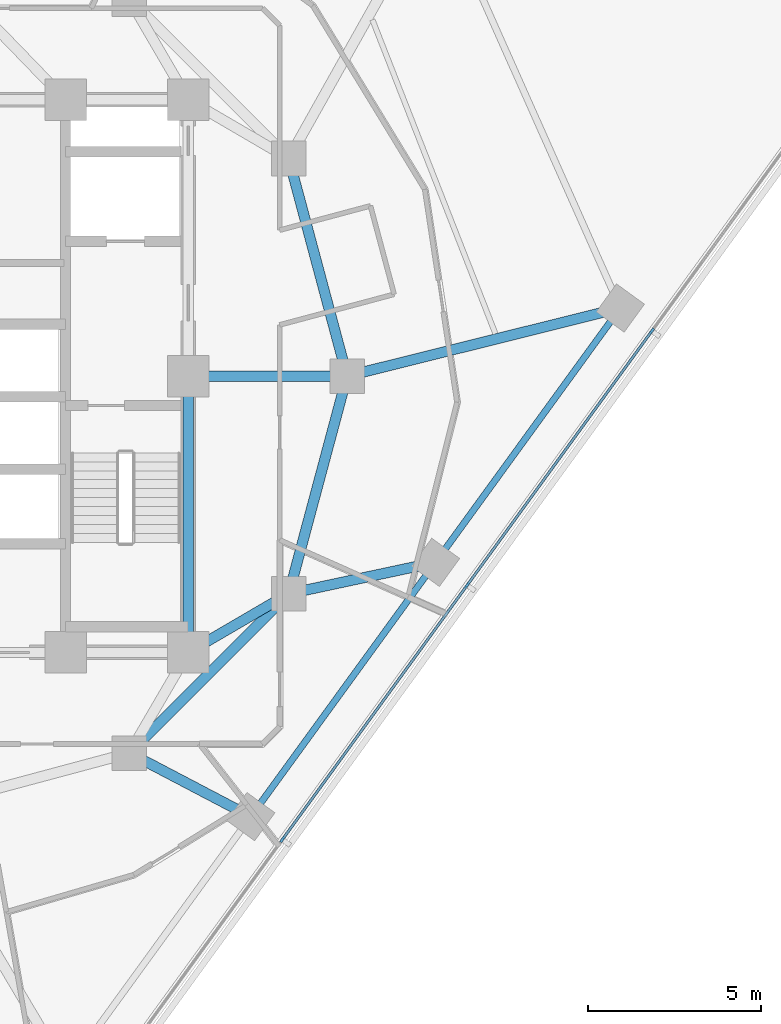
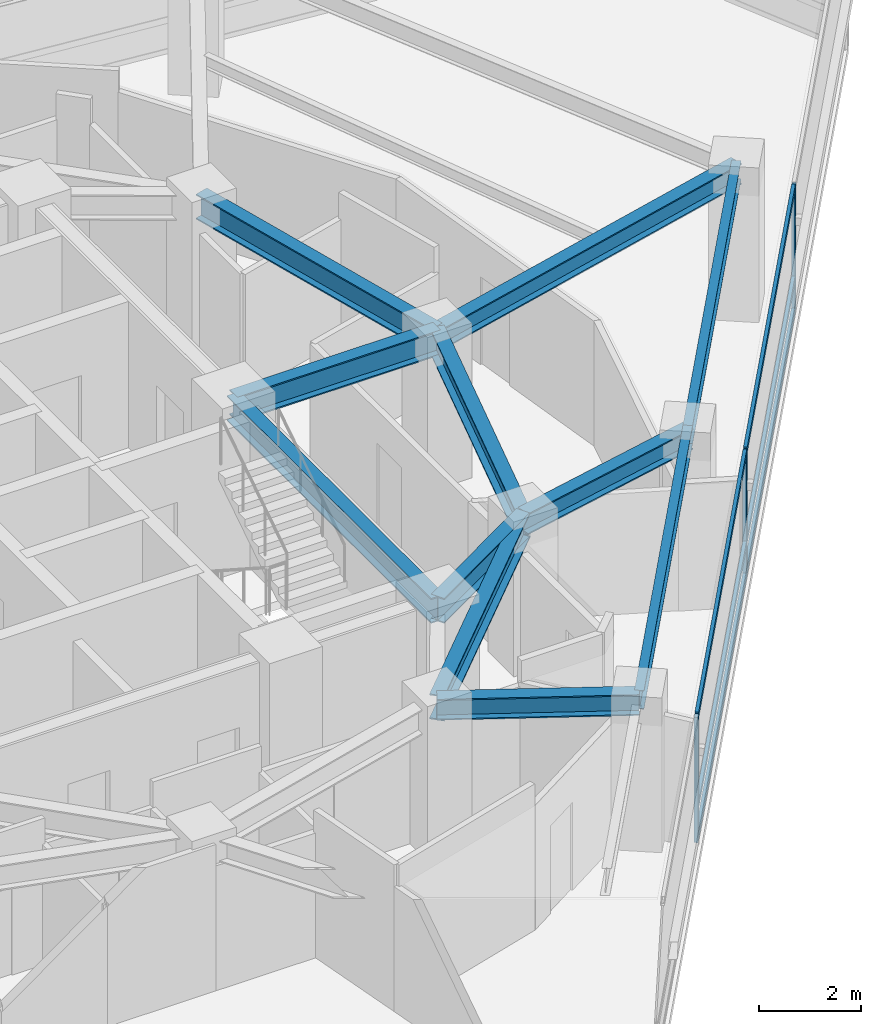
# One storey, part 4 of 15: 11 beams, 9 members, 1 element without a shape of its own.
"""IFC4 building model written with IfcOpenShell, lengths in metres."""

from ifc_helpers import new_model, si_unit, direction, frame, origin, origin_2d, place, context, subcontext, project, spatial, rectangle, i_section, extrude, material, layer, layer_set, material_profile, profile_set, type_object, element, aggregate, save


model = new_model("IFC4")

# Units and contexts
model_context = context("Model", 3, precision=1e-05, world=origin(), true_north=direction((0.0, 1.0)))
body_context = subcontext(model_context, "Body", "Model", "MODEL_VIEW")
ifc_project = project(units=[si_unit("LENGTHUNIT", "METRE"), si_unit("AREAUNIT", "SQUARE_METRE"), si_unit("VOLUMEUNIT", "CUBIC_METRE"), si_unit("PLANEANGLEUNIT", "RADIAN"), si_unit("MASSUNIT", "GRAM", prefix="KILO")], contexts=[model_context])

# Site, building, storey
site_placement = place(None, origin())
site = spatial("IfcSite", under=ifc_project, at=site_placement, CompositionType="ELEMENT")
building_placement = place(site_placement, origin())
building = spatial("IfcBuilding", under=site, at=building_placement, Name="Terralouvre Media Tower", CompositionType="ELEMENT")
storey_placement = place(building_placement, frame((0.0, 0.0, 233.699951171875)))
storey = spatial("IfcBuildingStorey", under=building, at=storey_placement, Name="L60", CompositionType="ELEMENT", Elevation=233.699951171875)

# Curtain wall, members
ifc_material_1 = material(Name="Low-iron laminated double glazing with solar-control coating", Category="glass")
ifc_layer = layer(ifc_material_1, 0.1650390625, Name="Upper Executive Tower Curtain Wall CW-05")
ifc_layer_set = layer_set([ifc_layer], Name="Low-iron laminated double glazing with solar-control coating")
curtain_wall_type = type_object("IfcCurtainWallType", Name="Upper Executive Tower Curtain Wall CW-05", PredefinedType="NOTDEFINED", material=ifc_layer_set)
curtain_wall_placement = place(storey_placement, origin())
curtain_wall = element("IfcCurtainWall", 1, at=curtain_wall_placement, inside=storey, type_object=curtain_wall_type, Name="L60 Facade Curtain Wall F0", PredefinedType="NOTDEFINED")
ifc_material_2 = material(Name="Anodised extruded aluminium 6063-T6", Category="aluminium")
ifc_material_profile_1 = material_profile(ifc_material_2, rectangle(XDim=0.074951171875, YDim=0.14990234375, at=origin_2d()), Name="ALU 75x150")
ifc_profile_set_1 = profile_set([ifc_material_profile_1], Name="Anodised extruded aluminium 6063-T6")
member_type_1 = type_object("IfcMemberType", Name="Curtain-Wall Horizontal Transom TR-150", PredefinedType="USERDEFINED", material=ifc_profile_set_1)
member_1_placement = place(storey_placement, frame((10.748779296875, -13.38720703125, 0.03759765625), z_axis=(0.587772727709, 0.809026093869, 0.0), x_axis=(-0.809026093869, 0.587772727709, 0.0)))
member_1 = element("IfcMember", 2, at=member_1_placement, type_object=member_type_1, Name="CW-05 transom 3.1", ObjectType="TRANSOM", PredefinedType="USERDEFINED", context=body_context, shape_type="SweptSolid", body=[
    extrude(rectangle(XDim=0.074951171875, YDim=0.14990234375, at=origin_2d()), origin(), (0.0, 0.0, 1.0), 9.025146484375),
])
member_2_placement = place(storey_placement, frame((10.748779296875, -13.38720703125, 0.800048828125), z_axis=(0.587772727709, 0.809026093869, 0.0), x_axis=(-0.809026093869, 0.587772727709, 0.0)))
member_2 = element("IfcMember", 3, at=member_2_placement, type_object=member_type_1, Name="CW-05 transom 3.2", ObjectType="TRANSOM", PredefinedType="USERDEFINED", context=body_context, shape_type="SweptSolid", body=[
    extrude(rectangle(XDim=0.074951171875, YDim=0.14990234375, at=origin_2d()), origin(), (0.0, 0.0, 1.0), 9.025146484375),
])
member_3_placement = place(storey_placement, frame((10.748779296875, -13.38720703125, 2.962646484375), z_axis=(0.587772727709, 0.809026093869, 0.0), x_axis=(-0.809026093869, 0.587772727709, 0.0)))
member_3 = element("IfcMember", 4, at=member_3_placement, type_object=member_type_1, Name="CW-05 transom 3.3", ObjectType="TRANSOM", PredefinedType="USERDEFINED", context=body_context, shape_type="SweptSolid", body=[
    extrude(rectangle(XDim=0.074951171875, YDim=0.14990234375, at=origin_2d()), origin(), (0.0, 0.0, 1.0), 9.025146484375),
])
member_4_placement = place(storey_placement, frame((16.09765625, -6.025146484375, 0.03759765625), z_axis=(0.587772727709, 0.809026093869, 0.0), x_axis=(-0.809026093869, 0.587772727709, 0.0)))
member_4 = element("IfcMember", 5, at=member_4_placement, type_object=member_type_1, Name="CW-05 transom 4.1", ObjectType="TRANSOM", PredefinedType="USERDEFINED", context=body_context, shape_type="SweptSolid", body=[
    extrude(rectangle(XDim=0.074951171875, YDim=0.14990234375, at=origin_2d()), origin(), (0.0, 0.0, 1.0), 9.025146484375),
])
member_5_placement = place(storey_placement, frame((16.09765625, -6.025146484375, 0.800048828125), z_axis=(0.587772727709, 0.809026093869, 0.0), x_axis=(-0.809026093869, 0.587772727709, 0.0)))
member_5 = element("IfcMember", 6, at=member_5_placement, type_object=member_type_1, Name="CW-05 transom 4.2", ObjectType="TRANSOM", PredefinedType="USERDEFINED", context=body_context, shape_type="SweptSolid", body=[
    extrude(rectangle(XDim=0.074951171875, YDim=0.14990234375, at=origin_2d()), origin(), (0.0, 0.0, 1.0), 9.025146484375),
])
member_6_placement = place(storey_placement, frame((16.09765625, -6.025146484375, 2.962646484375), z_axis=(0.587772727709, 0.809026093869, 0.0), x_axis=(-0.809026093869, 0.587772727709, 0.0)))
member_6 = element("IfcMember", 7, at=member_6_placement, type_object=member_type_1, Name="CW-05 transom 4.3", ObjectType="TRANSOM", PredefinedType="USERDEFINED", context=body_context, shape_type="SweptSolid", body=[
    extrude(rectangle(XDim=0.074951171875, YDim=0.14990234375, at=origin_2d()), origin(), (0.0, 0.0, 1.0), 9.025146484375),
])
ifc_material_3 = material(Name="Anodised extruded aluminium 6063-T6", Category="aluminium")
ifc_material_profile_2 = material_profile(ifc_material_3, rectangle(XDim=0.074951171875, YDim=0.179931640625, at=origin_2d()), Name="ALU 75x180")
ifc_profile_set_2 = profile_set([ifc_material_profile_2], Name="Anodised extruded aluminium 6063-T6")
member_type_2 = type_object("IfcMemberType", Name="Curtain-Wall Vertical Mullion ML-180", PredefinedType="MULLION", material=ifc_profile_set_2)
member_7_placement = place(storey_placement, frame((10.726806640625, -13.41748046875, 0.0), z_axis=(0.0, 0.0, 1.0), x_axis=(-0.809016959074, 0.587785300879, 0.0)))
member_7 = element("IfcMember", 8, at=member_7_placement, type_object=member_type_2, Name="CW-05 mullion 3", PredefinedType="MULLION", context=body_context, shape_type="SweptSolid", body=[
    extrude(rectangle(XDim=0.074951171875, YDim=0.179931640625, at=origin_2d()), origin(), (0.0, 0.0, 1.0), 3.0),
])
member_8_placement = place(storey_placement, frame((16.075439453125, -6.055419921875, 0.0), z_axis=(0.0, 0.0, 1.0), x_axis=(-0.809016959074, 0.587785300879, 0.0)))
member_8 = element("IfcMember", 9, at=member_8_placement, type_object=member_type_2, Name="CW-05 mullion 4", PredefinedType="MULLION", context=body_context, shape_type="SweptSolid", body=[
    extrude(rectangle(XDim=0.074951171875, YDim=0.179931640625, at=origin_2d()), origin(), (0.0, 0.0, 1.0), 3.0),
])
member_9_placement = place(storey_placement, frame((21.42431640625, 1.306640625, 0.0), z_axis=(0.0, 0.0, 1.0), x_axis=(-0.809016959074, 0.587785300879, 0.0)))
member_9 = element("IfcMember", 10, at=member_9_placement, type_object=member_type_2, Name="CW-05 mullion 5", PredefinedType="MULLION", context=body_context, shape_type="SweptSolid", body=[
    extrude(rectangle(XDim=0.074951171875, YDim=0.179931640625, at=origin_2d()), origin(), (0.0, 0.0, 1.0), 3.0),
])
aggregate(curtain_wall, [member_7, member_8, member_9, member_1, member_2, member_3, member_4, member_5, member_6])

# Beams
ifc_material_4 = material(Name="Structural steel S355J2", Category="steel")
ifc_material_profile_3 = material_profile(ifc_material_4, i_section(OverallWidth=0.18994140625, OverallDepth=0.449951171875, WebThickness=0.009521484375, FlangeThickness=0.0146484375, at=origin_2d()), Name="IPE 450")
ifc_profile_set_3 = profile_set([ifc_material_profile_3], Name="Structural steel S355J2")
beam_type_1 = type_object("IfcBeamType", Name="Perimeter Spandrel Beam SPB-450 (IPE 450)", PredefinedType="SPANDREL", material=ifc_profile_set_3)
for number, where, z_axis, x_axis, name in (
    (11, (9.8125, -12.75341796875, 3.275146484375), (0.587787185033, 0.809015590153, 0.0), (-0.809015590153, 0.587787185033, 0.0), "L60 Framing Beam BM-L60-PR05"),
    (12, (15.161376953125, -5.391357421875, 3.275146484375), (0.587787185033, 0.809015590153, 0.0), (-0.809015590153, 0.587787185033, 0.0), "L60 Framing Beam BM-L60-PR06"),
):
    element("IfcBeam", number, at=place(storey_placement, frame(where, z_axis=z_axis, x_axis=x_axis)), inside=storey, type_object=beam_type_1, Name=name, PredefinedType="SPANDREL", context=body_context, shape_type="SweptSolid", body=[
        extrude(i_section(OverallWidth=0.18994140625, OverallDepth=0.449951171875, WebThickness=0.009521484375, FlangeThickness=0.0146484375, at=origin_2d()), origin(), (0.0, 0.0, 1.0), 9.10009765625),
    ])
ifc_material_5 = material(Name="Structural steel S355J2", Category="steel")
ifc_material_profile_4 = material_profile(ifc_material_5, i_section(OverallWidth=0.300048828125, OverallDepth=0.5, WebThickness=0.014404296875, FlangeThickness=0.028076171875, at=origin_2d()), Name="HEB 500")
ifc_profile_set_4 = profile_set([ifc_material_profile_4], Name="Structural steel S355J2")
beam_type_2 = type_object("IfcBeamType", Name="Primary Floor Girder B-HEB500 (HEB 500)", PredefinedType="BEAM", material=ifc_profile_set_4)
beam_1_placement = place(storey_placement, frame((6.300048828125, -10.911865234375, 3.25), z_axis=(0.885655556229, -0.464342799794, 0.0), x_axis=(0.464342799794, 0.885655556229, 0.0)))
element("IfcBeam", 13, at=beam_1_placement, inside=storey, type_object=beam_type_2, Name="L60 Framing Beam BM-L60-RD05", PredefinedType="BEAM", context=body_context, shape_type="SweptSolid", body=[
    extrude(i_section(OverallWidth=0.300048828125, OverallDepth=0.5, WebThickness=0.014404296875, FlangeThickness=0.028076171875, at=origin_2d()), origin(), (0.0, 0.0, 1.0), 3.9658203125),
])
beam_2_placement = place(storey_placement, frame((10.911865234375, -6.300048828125, 3.25), z_axis=(0.977892761282, 0.209107023871, 0.0), x_axis=(-0.209107023871, 0.977892761282, 0.0)))
element("IfcBeam", 14, at=beam_2_placement, inside=storey, type_object=beam_type_2, Name="L60 Framing Beam BM-L60-RD06", PredefinedType="BEAM", context=body_context, shape_type="SweptSolid", body=[
    extrude(i_section(OverallWidth=0.300048828125, OverallDepth=0.5, WebThickness=0.014404296875, FlangeThickness=0.028076171875, at=origin_2d()), origin(), (0.0, 0.0, 1.0), 4.345458984375),
])
beam_3_placement = place(storey_placement, frame((12.60009765625, 0.0, 3.25), z_axis=(0.970339488521, 0.24174630714, 0.0), x_axis=(-0.24174630714, 0.970339488521, 0.0)))
element("IfcBeam", 15, at=beam_3_placement, inside=storey, type_object=beam_type_2, Name="L60 Framing Beam BM-L60-RD07", PredefinedType="BEAM", context=body_context, shape_type="SweptSolid", body=[
    extrude(i_section(OverallWidth=0.300048828125, OverallDepth=0.5, WebThickness=0.014404296875, FlangeThickness=0.028076171875, at=origin_2d()), origin(), (0.0, 0.0, 1.0), 8.15185546875),
])
ifc_material_6 = material(Name="Structural steel S460M", Category="steel")
ifc_material_profile_5 = material_profile(ifc_material_6, i_section(OverallWidth=0.300048828125, OverallDepth=0.60009765625, WebThickness=0.015380859375, FlangeThickness=0.030029296875, at=origin_2d()), Name="HEB 600")
ifc_profile_set_5 = profile_set([ifc_material_profile_5], Name="Structural steel S460M")
beam_type_3 = type_object("IfcBeamType", Name="Primary Floor Girder B-HEB600 (HEB 600)", PredefinedType="BEAM", material=ifc_profile_set_5)
beam_4_placement = place(storey_placement, frame((8.0, -8.0, 3.199951171875), z_axis=(0.0, 1.0, 0.0), x_axis=(-1.0, 0.0, 0.0)))
element("IfcBeam", 16, at=beam_4_placement, inside=storey, type_object=beam_type_3, Name="L60 Framing Beam BM-L60-CPR04", PredefinedType="BEAM", context=body_context, shape_type="SweptSolid", body=[
    extrude(i_section(OverallWidth=0.300048828125, OverallDepth=0.60009765625, WebThickness=0.015380859375, FlangeThickness=0.030029296875, at=origin_2d()), origin(), (0.0, 0.0, 1.0), 8.0),
])
beam_5_placement = place(storey_placement, frame((6.300048828125, -10.911865234375, 3.199951171875), z_axis=(0.707106781187, 0.707106781187, 0.0), x_axis=(-0.707106781187, 0.707106781187, 0.0)))
element("IfcBeam", 17, at=beam_5_placement, inside=storey, type_object=beam_type_3, Name="L60 Framing Beam BM-L60-MR04", PredefinedType="BEAM", context=body_context, shape_type="SweptSolid", body=[
    extrude(i_section(OverallWidth=0.300048828125, OverallDepth=0.60009765625, WebThickness=0.015380859375, FlangeThickness=0.030029296875, at=origin_2d()), origin(), (0.0, 0.0, 1.0), 6.52197265625),
])
for number, where, z_axis, x_axis, name in (
    (18, (10.911865234375, -6.300048828125, 3.199951171875), (0.258838989821, 0.965920481897, 0.0), (-0.965920481897, 0.258838989821, 0.0), "L60 Framing Beam BM-L60-MR05"),
    (19, (12.60009765625, 0.0, 3.199951171875), (-0.258838989821, 0.965920481897, 0.0), (-0.965920481897, -0.258838989821, 0.0), "L60 Framing Beam BM-L60-MR06"),
):
    element("IfcBeam", number, at=place(storey_placement, frame(where, z_axis=z_axis, x_axis=x_axis)), inside=storey, type_object=beam_type_3, Name=name, PredefinedType="BEAM", context=body_context, shape_type="SweptSolid", body=[
        extrude(i_section(OverallWidth=0.300048828125, OverallDepth=0.60009765625, WebThickness=0.015380859375, FlangeThickness=0.030029296875, at=origin_2d()), origin(), (0.0, 0.0, 1.0), 6.522216796875),
    ])
beam_6_placement = place(storey_placement, frame((8.0, -8.0, 3.199951171875), z_axis=(0.863602894532, 0.504172629717, 0.0), x_axis=(-0.504172629717, 0.863602894532, 0.0)))
element("IfcBeam", 20, at=beam_6_placement, inside=storey, type_object=beam_type_3, Name="L60 Framing Beam BM-L60-CM05", PredefinedType="BEAM", context=body_context, shape_type="SweptSolid", body=[
    extrude(i_section(OverallWidth=0.300048828125, OverallDepth=0.60009765625, WebThickness=0.015380859375, FlangeThickness=0.030029296875, at=origin_2d()), origin(), (0.0, 0.0, 1.0), 3.371826171875),
])
beam_7_placement = place(storey_placement, frame((8.0, 0.0, 3.199951171875), z_axis=(1.0, 0.0, 0.0), x_axis=(0.0, 1.0, 0.0)))
element("IfcBeam", 21, at=beam_7_placement, inside=storey, type_object=beam_type_3, Name="L60 Framing Beam BM-L60-CM06", PredefinedType="BEAM", context=body_context, shape_type="SweptSolid", body=[
    extrude(i_section(OverallWidth=0.300048828125, OverallDepth=0.60009765625, WebThickness=0.015380859375, FlangeThickness=0.030029296875, at=origin_2d()), origin(), (0.0, 0.0, 1.0), 4.60009765625),
])

save(model, "model.ifc")
